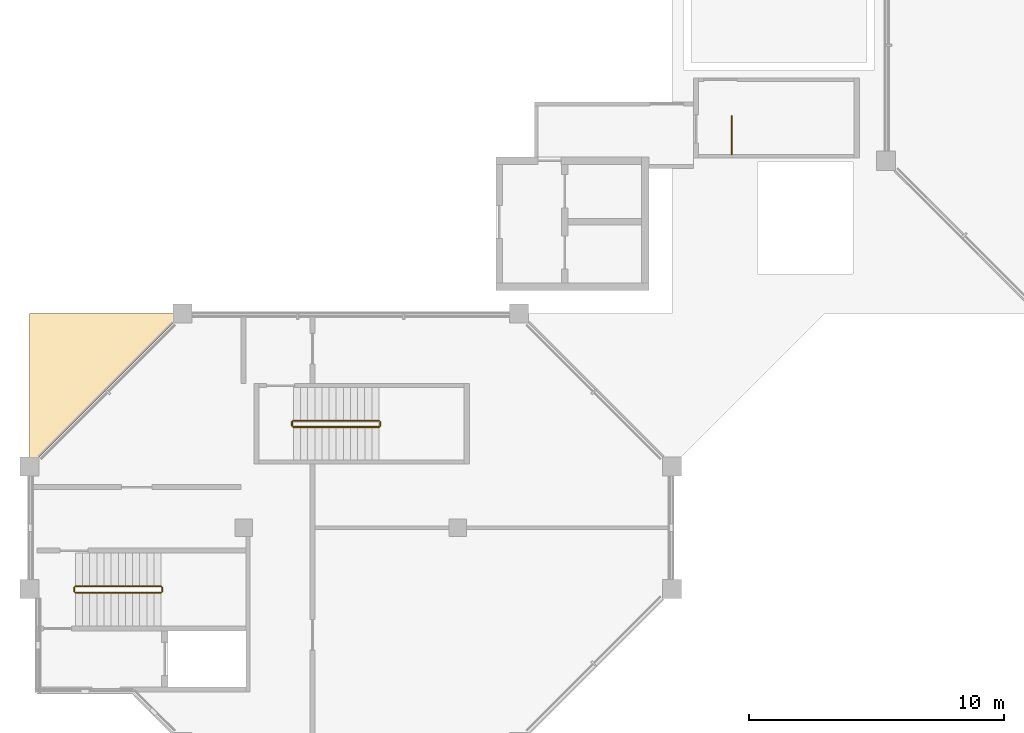
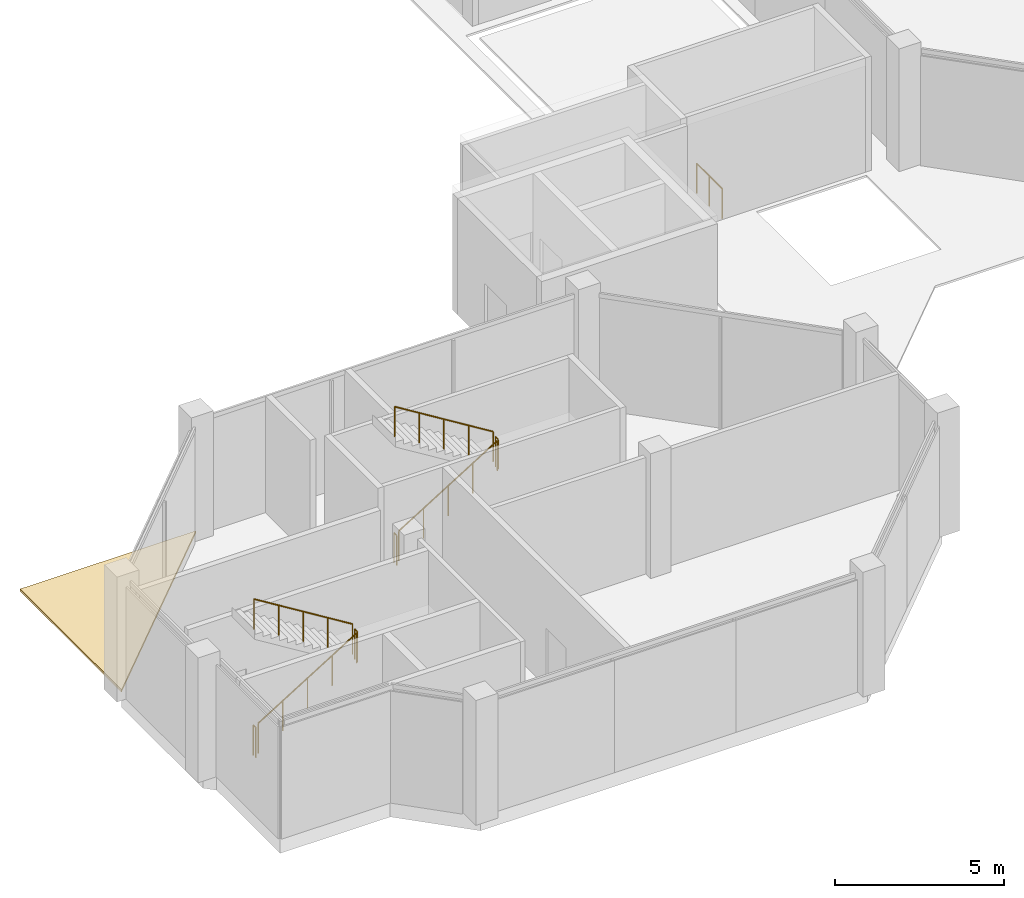
# One storey, part 8 of 10: 9 railings, 1 covering.
"""IFC4 building model written with IfcOpenShell, lengths in metres."""

from ifc_helpers import new_model, si_unit, direction, frame, origin, origin_2d, place, context, subcontext, project, spatial, polyline, circle, outline, extrude, material, layer, layer_set, type_object, element, save


model = new_model("IFC4")

# Units and contexts
model_context = context("Model", 3, precision=1e-05, world=origin(), true_north=direction((0.0, 1.0)))
body_context = subcontext(model_context, "Body", "Model", "MODEL_VIEW")
ifc_project = project(units=[si_unit("LENGTHUNIT", "METRE"), si_unit("AREAUNIT", "SQUARE_METRE"), si_unit("VOLUMEUNIT", "CUBIC_METRE"), si_unit("PLANEANGLEUNIT", "RADIAN"), si_unit("MASSUNIT", "GRAM", prefix="KILO")], contexts=[model_context])

# Site, building, storey
site_placement = place(None, origin())
site = spatial("IfcSite", under=ifc_project, at=site_placement, CompositionType="ELEMENT")
building_placement = place(site_placement, origin())
building = spatial("IfcBuilding", under=site, at=building_placement, Name="Kawkab Arch Medical Tower", CompositionType="ELEMENT")
storey_placement = place(building_placement, frame((0.0, 0.0, 336.699951171875)))
storey = spatial("IfcBuildingStorey", under=building, at=storey_placement, Name="L78", CompositionType="ELEMENT", Elevation=336.699951171875)

# Covering
ifc_material_1 = material(Name="Insulated bituminous roof membrane with ballast")
ifc_layer = layer(ifc_material_1, 0.080078125)
ifc_layer_set = layer_set([ifc_layer], Name="Insulated bituminous roof membrane with ballast")
covering_type = type_object("IfcCoveringType", Name="Roof membrane and insulation 80", PredefinedType="ROOFING", material=ifc_layer_set)
covering_placement = place(storey_placement, origin())
element("IfcCovering", 1, at=covering_placement, inside=storey, type_object=covering_type, Name="Roofing, helipad lobby wing 1", PredefinedType="ROOFING", context=body_context, shape_type="SweptSolid", body=[
    extrude(outline(polyline([(0.0, -31.199951171875), (6.0, -25.199951171875), (0.0, -25.199951171875), (0.0, -31.199951171875)])), origin(), (0.0, 0.0, 1.0), 0.080078125),
])

# Railings
ifc_material_2 = material(Name="Stainless steel", Category="steel")
railing_type = type_object("IfcRailingType", Name="Stair guard 1100", PredefinedType="GUARDRAIL", material=ifc_material_2)
railing_1_placement = place(storey_placement, frame((27.550048828125, -18.949951171875, 0.0)))
element("IfcRailing", 2, at=railing_1_placement, inside=storey, type_object=railing_type, Name="L78 DS1 top well guard 1", PredefinedType="GUARDRAIL", context=body_context, shape_type="SweptSolid", body=[
    extrude(circle(Radius=0.02392578125, at=origin_2d()), frame((0.0, 0.0, 1.076171875), z_axis=(0.0, 1.0, 0.0), x_axis=(-1.0, 0.0, 0.0)), (0.0, 0.0, 1.0), 1.5),
    extrude(circle(Radius=0.02099609375, at=origin_2d()), origin(), (0.0, 0.0, 1.0), 1.052001953125),
    extrude(circle(Radius=0.02099609375, at=origin_2d()), frame((0.0, 0.75, 0.0)), (0.0, 0.0, 1.0), 1.052001953125),
    extrude(circle(Radius=0.02099609375, at=origin_2d()), frame((0.0, 1.5, 0.0)), (0.0, 0.0, 1.0), 1.052001953125),
])
railing_2_placement = place(storey_placement, frame((1.800048828125, -36.14990234375, 0.173095703125)))
element("IfcRailing", 3, at=railing_2_placement, inside=storey, type_object=railing_type, Name="L78 ST6 stair guard 1", PredefinedType="GUARDRAIL", context=body_context, shape_type="SweptSolid", body=[
    extrude(circle(Radius=0.02392578125, at=origin_2d()), frame((0.0, 0.0, 1.076171875), z_axis=(0.850606129759, 0.0, 0.525803396734), x_axis=(0.0, 1.0, 0.0)), (0.0, 0.0, 1.0), 3.949951171875),
    extrude(circle(Radius=0.02099609375, at=origin_2d()), origin(), (0.0, 0.0, 1.0), 1.052001953125),
    extrude(circle(Radius=0.02099609375, at=origin_2d()), frame((0.83984375, 0.0, 0.519287109375)), (0.0, 0.0, 1.0), 1.052001953125),
    extrude(circle(Radius=0.02099609375, at=origin_2d()), frame((1.679931640625, 0.0, 1.03857421875)), (0.0, 0.0, 1.0), 1.052001953125),
    extrude(circle(Radius=0.02099609375, at=origin_2d()), frame((2.52001953125, 0.0, 1.5576171875)), (0.0, 0.0, 1.0), 1.052001953125),
    extrude(circle(Radius=0.02099609375, at=origin_2d()), frame((3.35986328125, 0.0, 2.076904296875)), (0.0, 0.0, 1.0), 1.052001953125),
])
railing_3_placement = place(storey_placement, frame((5.2099609375, -36.10009765625, 2.25)))
element("IfcRailing", 4, at=railing_3_placement, inside=storey, type_object=railing_type, Name="L78 ST6 stair guard 2", PredefinedType="GUARDRAIL", context=body_context, shape_type="SweptSolid", body=[
    extrude(circle(Radius=0.02392578125, at=origin_2d()), frame((0.0, 0.0, 1.076171875), z_axis=(0.0, 1.0, 0.0), x_axis=(-1.0, 0.0, 0.0)), (0.0, 0.0, 1.0), 0.150146484375),
    extrude(circle(Radius=0.02099609375, at=origin_2d()), origin(), (0.0, 0.0, 1.0), 1.052001953125),
    extrude(circle(Radius=0.02099609375, at=origin_2d()), frame((0.0, 0.150146484375, 0.0)), (0.0, 0.0, 1.0), 1.052001953125),
])
railing_4_placement = place(storey_placement, frame((5.159912109375, -35.89990234375, 2.423095703125)))
element("IfcRailing", 5, at=railing_4_placement, inside=storey, type_object=railing_type, Name="L78 ST6 stair guard 3", PredefinedType="GUARDRAIL", context=body_context, shape_type="SweptSolid", body=[
    extrude(circle(Radius=0.02392578125, at=origin_2d()), frame((0.0, 0.0, 1.076171875), z_axis=(-0.850606129759, 0.0, 0.525803396734), x_axis=(0.0, -1.0, 0.0)), (0.0, 0.0, 1.0), 3.949951171875),
    extrude(circle(Radius=0.02099609375, at=origin_2d()), origin(), (0.0, 0.0, 1.0), 1.052001953125),
    extrude(circle(Radius=0.02099609375, at=origin_2d()), frame((-0.83984375, 0.0, 0.519287109375)), (0.0, 0.0, 1.0), 1.052001953125),
    extrude(circle(Radius=0.02099609375, at=origin_2d()), frame((-1.679931640625, 0.0, 1.03857421875)), (0.0, 0.0, 1.0), 1.052001953125),
    extrude(circle(Radius=0.02099609375, at=origin_2d()), frame((-2.52001953125, 0.0, 1.5576171875)), (0.0, 0.0, 1.0), 1.052001953125),
    extrude(circle(Radius=0.02099609375, at=origin_2d()), frame((-3.35986328125, 0.0, 2.076904296875)), (0.0, 0.0, 1.0), 1.052001953125),
])
railing_5_placement = place(storey_placement, frame((1.75, -36.10009765625, 0.0)))
element("IfcRailing", 6, at=railing_5_placement, inside=storey, type_object=railing_type, Name="L78 ST6 stair guard 4", PredefinedType="GUARDRAIL", context=body_context, shape_type="SweptSolid", body=[
    extrude(circle(Radius=0.02392578125, at=origin_2d()), frame((0.0, 0.0, 1.076171875), z_axis=(0.0, 1.0, 0.0), x_axis=(-1.0, 0.0, 0.0)), (0.0, 0.0, 1.0), 0.150146484375),
    extrude(circle(Radius=0.02099609375, at=origin_2d()), origin(), (0.0, 0.0, 1.0), 1.052001953125),
    extrude(circle(Radius=0.02099609375, at=origin_2d()), frame((0.0, 0.150146484375, 0.0)), (0.0, 0.0, 1.0), 1.052001953125),
])
railing_6_placement = place(storey_placement, frame((10.35009765625, -29.64990234375, 0.173095703125)))
element("IfcRailing", 7, at=railing_6_placement, inside=storey, type_object=railing_type, Name="L78 ST9 stair guard 1", PredefinedType="GUARDRAIL", context=body_context, shape_type="SweptSolid", body=[
    extrude(circle(Radius=0.02392578125, at=origin_2d()), frame((0.0, 0.0, 1.076171875), z_axis=(0.850606129759, 0.0, 0.525803396734), x_axis=(0.0, 1.0, 0.0)), (0.0, 0.0, 1.0), 3.949951171875),
    extrude(circle(Radius=0.02099609375, at=origin_2d()), origin(), (0.0, 0.0, 1.0), 1.052001953125),
    extrude(circle(Radius=0.02099609375, at=origin_2d()), frame((0.83984375, 0.0, 0.519287109375)), (0.0, 0.0, 1.0), 1.052001953125),
    extrude(circle(Radius=0.02099609375, at=origin_2d()), frame((1.679931640625, 0.0, 1.03857421875)), (0.0, 0.0, 1.0), 1.052001953125),
    extrude(circle(Radius=0.02099609375, at=origin_2d()), frame((2.52001953125, 0.0, 1.5576171875)), (0.0, 0.0, 1.0), 1.052001953125),
    extrude(circle(Radius=0.02099609375, at=origin_2d()), frame((3.35986328125, 0.0, 2.076904296875)), (0.0, 0.0, 1.0), 1.052001953125),
])
railing_7_placement = place(storey_placement, frame((13.760009765625, -29.60009765625, 2.25)))
element("IfcRailing", 8, at=railing_7_placement, inside=storey, type_object=railing_type, Name="L78 ST9 stair guard 2", PredefinedType="GUARDRAIL", context=body_context, shape_type="SweptSolid", body=[
    extrude(circle(Radius=0.02392578125, at=origin_2d()), frame((0.0, 0.0, 1.076171875), z_axis=(0.0, 1.0, 0.0), x_axis=(-1.0, 0.0, 0.0)), (0.0, 0.0, 1.0), 0.150146484375),
    extrude(circle(Radius=0.02099609375, at=origin_2d()), origin(), (0.0, 0.0, 1.0), 1.052001953125),
    extrude(circle(Radius=0.02099609375, at=origin_2d()), frame((0.0, 0.150146484375, 0.0)), (0.0, 0.0, 1.0), 1.052001953125),
])
railing_8_placement = place(storey_placement, frame((13.7099609375, -29.39990234375, 2.423095703125)))
element("IfcRailing", 9, at=railing_8_placement, inside=storey, type_object=railing_type, Name="L78 ST9 stair guard 3", PredefinedType="GUARDRAIL", context=body_context, shape_type="SweptSolid", body=[
    extrude(circle(Radius=0.02392578125, at=origin_2d()), frame((0.0, 0.0, 1.076171875), z_axis=(-0.850606129759, 0.0, 0.525803396734), x_axis=(0.0, -1.0, 0.0)), (0.0, 0.0, 1.0), 3.949951171875),
    extrude(circle(Radius=0.02099609375, at=origin_2d()), origin(), (0.0, 0.0, 1.0), 1.052001953125),
    extrude(circle(Radius=0.02099609375, at=origin_2d()), frame((-0.83984375, 0.0, 0.519287109375)), (0.0, 0.0, 1.0), 1.052001953125),
    extrude(circle(Radius=0.02099609375, at=origin_2d()), frame((-1.679931640625, 0.0, 1.03857421875)), (0.0, 0.0, 1.0), 1.052001953125),
    extrude(circle(Radius=0.02099609375, at=origin_2d()), frame((-2.52001953125, 0.0, 1.5576171875)), (0.0, 0.0, 1.0), 1.052001953125),
    extrude(circle(Radius=0.02099609375, at=origin_2d()), frame((-3.35986328125, 0.0, 2.076904296875)), (0.0, 0.0, 1.0), 1.052001953125),
])
railing_9_placement = place(storey_placement, frame((10.300048828125, -29.60009765625, 0.0)))
element("IfcRailing", 10, at=railing_9_placement, inside=storey, type_object=railing_type, Name="L78 ST9 stair guard 4", PredefinedType="GUARDRAIL", context=body_context, shape_type="SweptSolid", body=[
    extrude(circle(Radius=0.02392578125, at=origin_2d()), frame((0.0, 0.0, 1.076171875), z_axis=(0.0, 1.0, 0.0), x_axis=(-1.0, 0.0, 0.0)), (0.0, 0.0, 1.0), 0.150146484375),
    extrude(circle(Radius=0.02099609375, at=origin_2d()), origin(), (0.0, 0.0, 1.0), 1.052001953125),
    extrude(circle(Radius=0.02099609375, at=origin_2d()), frame((0.0, 0.150146484375, 0.0)), (0.0, 0.0, 1.0), 1.052001953125),
])

save(model, "model.ifc")
